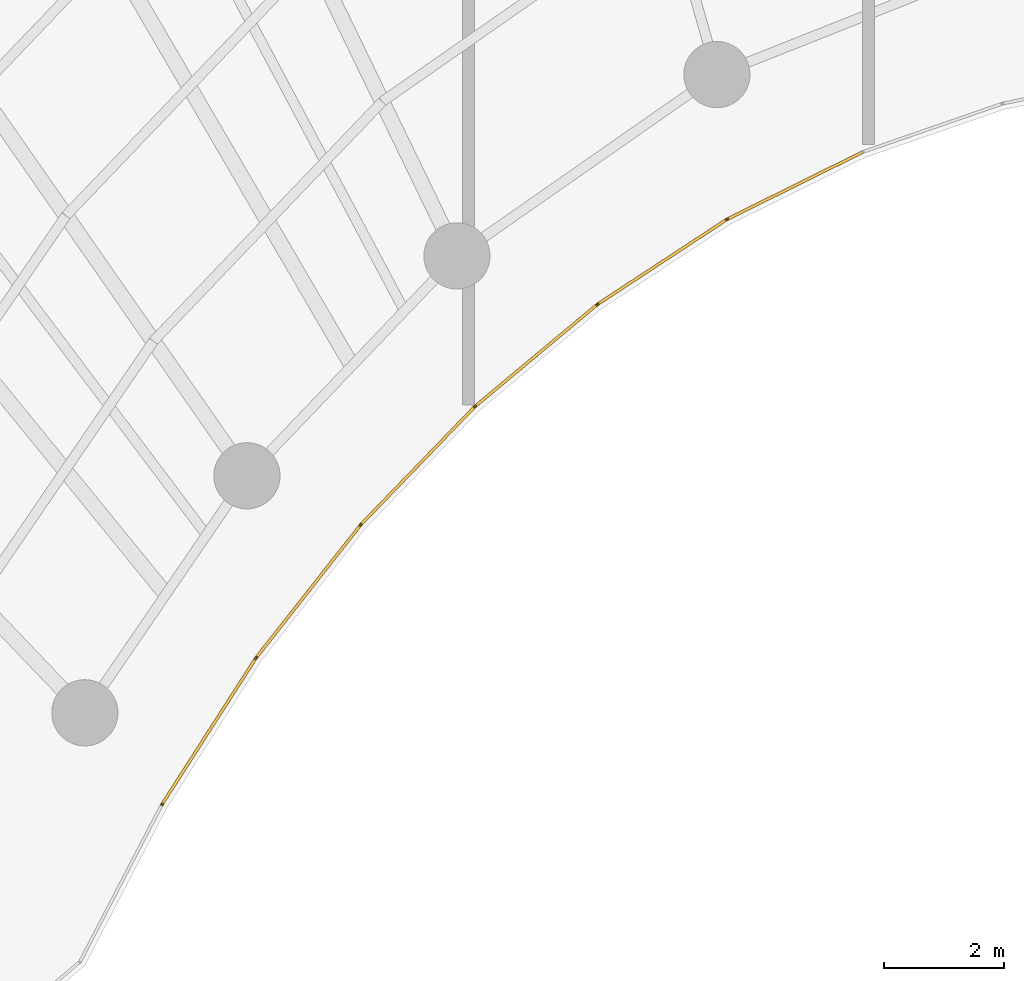
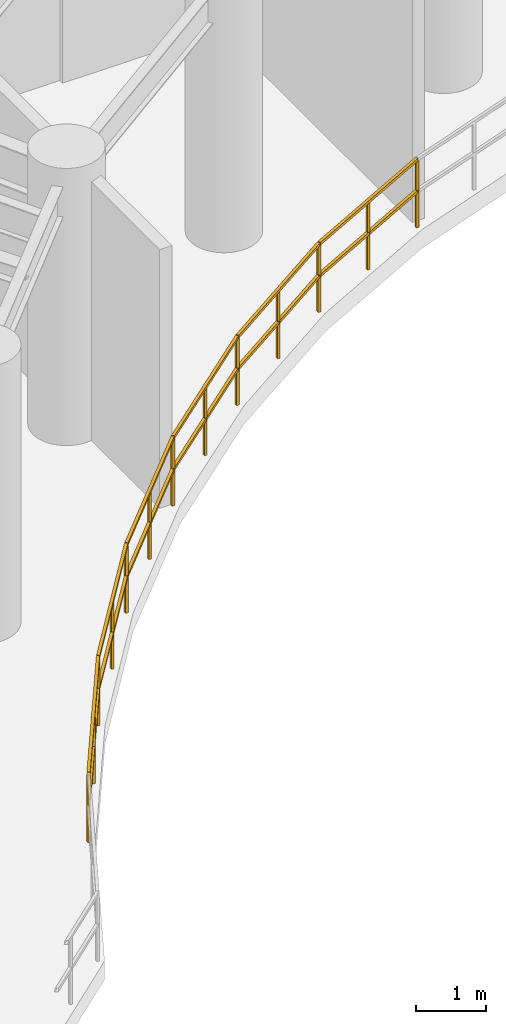
# One storey, part 15 of 24: 12 railings.
"""IFC4 building model written with IfcOpenShell, lengths in metres."""

from ifc_helpers import new_model, si_unit, direction, frame, origin, origin_2d, place, context, subcontext, project, spatial, rectangle, extrude, material, type_object, element, save


model = new_model("IFC4")

# Units and contexts
model_context = context("Model", 3, precision=1e-05, world=origin(), true_north=direction((0.0, 1.0)))
body_context = subcontext(model_context, "Body", "Model", "MODEL_VIEW")
ifc_project = project(units=[si_unit("LENGTHUNIT", "METRE"), si_unit("AREAUNIT", "SQUARE_METRE"), si_unit("VOLUMEUNIT", "CUBIC_METRE"), si_unit("PLANEANGLEUNIT", "RADIAN"), si_unit("MASSUNIT", "GRAM", prefix="KILO")], contexts=[model_context])

# Site, building, storey
site_placement = place(None, origin())
site = spatial("IfcSite", under=ifc_project, at=site_placement, CompositionType="ELEMENT")
building_placement = place(site_placement, origin())
building = spatial("IfcBuilding", under=site, at=building_placement, Name="Breltana Convention Tower", CompositionType="ELEMENT")
storey_placement = place(building_placement, frame((0.0, 0.0, 189.60009765625)))
storey = spatial("IfcBuildingStorey", under=building, at=storey_placement, Name="L46", CompositionType="ELEMENT", Elevation=189.60009765625)

# Railings
ifc_material = material(Name="Stainless Steel 316L", Category="steel")
railing_type = type_object("IfcRailingType", Name="RL-WIND-GUARD-1200", PredefinedType="BALUSTRADE", material=ifc_material)
railing_1_placement = place(storey_placement, frame((40.898193359375, 52.2666015625, 0.0)))
element("IfcRailing", 1, at=railing_1_placement, inside=storey, type_object=railing_type, Name="L46 perimeter balustrade 32", PredefinedType="BALUSTRADE", context=body_context, shape_type="SweptSolid", body=[
    extrude(rectangle(XDim=0.048095703125, YDim=0.048095703125, at=origin_2d()), frame((0.0, 0.0, 1.17578125), z_axis=(-0.895926249068, -0.444202832308, 0.0), x_axis=(0.444202832308, -0.895926249068, 0.0)), (0.0, 0.0, 1.0), 2.499755859375),
    extrude(rectangle(XDim=0.048095703125, YDim=0.048095703125, at=origin_2d()), frame((0.0, 0.0, 0.6240234375), z_axis=(-0.895926249068, -0.444202832308, 0.0), x_axis=(0.444202832308, -0.895926249068, 0.0)), (0.0, 0.0, 1.0), 2.499755859375),
    extrude(rectangle(XDim=0.0419921875, YDim=0.0419921875, at=origin_2d()), origin(), (0.0, 0.0, 1.0), 1.15185546875),
    extrude(rectangle(XDim=0.0419921875, YDim=0.0419921875, at=origin_2d()), frame((-1.11962890625, -0.55517578125, 0.0)), (0.0, 0.0, 1.0), 1.15185546875),
    extrude(rectangle(XDim=0.0419921875, YDim=0.0419921875, at=origin_2d()), frame((-2.239501953125, -1.1103515625, 0.0)), (0.0, 0.0, 1.0), 1.15185546875),
])
railing_2_placement = place(storey_placement, frame((38.65869140625, 51.15625, 0.0)))
element("IfcRailing", 2, at=railing_2_placement, inside=storey, type_object=railing_type, Name="L46 perimeter balustrade 33", PredefinedType="BALUSTRADE", context=body_context, shape_type="SweptSolid", body=[
    extrude(rectangle(XDim=0.048095703125, YDim=0.048095703125, at=origin_2d()), frame((0.0, 0.0, 1.17578125), z_axis=(-0.873197702015, -0.487366159264, 0.0), x_axis=(0.487366159264, -0.873197702015, 0.0)), (0.0, 0.0, 1.0), 0.011962890625),
    extrude(rectangle(XDim=0.048095703125, YDim=0.048095703125, at=origin_2d()), frame((0.0, 0.0, 0.6240234375), z_axis=(-0.873197702015, -0.487366159264, 0.0), x_axis=(0.487366159264, -0.873197702015, 0.0)), (0.0, 0.0, 1.0), 0.011962890625),
    extrude(rectangle(XDim=0.0419921875, YDim=0.0419921875, at=origin_2d()), origin(), (0.0, 0.0, 1.0), 1.15185546875),
    extrude(rectangle(XDim=0.0419921875, YDim=0.0419921875, at=origin_2d()), frame((-0.010498046875, -0.005859375, 0.0)), (0.0, 0.0, 1.0), 1.15185546875),
])
railing_3_placement = place(storey_placement, frame((38.648193359375, 51.150390625, 0.0)))
element("IfcRailing", 3, at=railing_3_placement, inside=storey, type_object=railing_type, Name="L46 perimeter balustrade 34", PredefinedType="BALUSTRADE", context=body_context, shape_type="SweptSolid", body=[
    extrude(rectangle(XDim=0.048095703125, YDim=0.048095703125, at=origin_2d()), frame((0.0, 0.0, 1.17578125), z_axis=(-0.835982422009, -0.548756221005, 0.0), x_axis=(0.548756221005, -0.835982422009, 0.0)), (0.0, 0.0, 1.0), 2.565185546875),
    extrude(rectangle(XDim=0.048095703125, YDim=0.048095703125, at=origin_2d()), frame((0.0, 0.0, 0.6240234375), z_axis=(-0.835982422009, -0.548756221005, 0.0), x_axis=(0.548756221005, -0.835982422009, 0.0)), (0.0, 0.0, 1.0), 2.565185546875),
    extrude(rectangle(XDim=0.0419921875, YDim=0.0419921875, at=origin_2d()), origin(), (0.0, 0.0, 1.0), 1.15185546875),
    extrude(rectangle(XDim=0.0419921875, YDim=0.0419921875, at=origin_2d()), frame((-1.072265625, -0.703857421875, 0.0)), (0.0, 0.0, 1.0), 1.15185546875),
    extrude(rectangle(XDim=0.0419921875, YDim=0.0419921875, at=origin_2d()), frame((-2.14453125, -1.40771484375, 0.0)), (0.0, 0.0, 1.0), 1.15185546875),
])
railing_4_placement = place(storey_placement, frame((36.503662109375, 49.74267578125, 0.0)))
element("IfcRailing", 4, at=railing_4_placement, inside=storey, type_object=railing_type, Name="L46 perimeter balustrade 35", PredefinedType="BALUSTRADE", context=body_context, shape_type="SweptSolid", body=[
    extrude(rectangle(XDim=0.048095703125, YDim=0.048095703125, at=origin_2d()), frame((0.0, 0.0, 1.17578125), z_axis=(-0.805055837353, -0.59319903805, 0.0), x_axis=(0.59319903805, -0.805055837353, 0.0)), (0.0, 0.0, 1.0), 0.011474609375),
    extrude(rectangle(XDim=0.048095703125, YDim=0.048095703125, at=origin_2d()), frame((0.0, 0.0, 0.6240234375), z_axis=(-0.805055837353, -0.59319903805, 0.0), x_axis=(0.59319903805, -0.805055837353, 0.0)), (0.0, 0.0, 1.0), 0.011474609375),
    extrude(rectangle(XDim=0.0419921875, YDim=0.0419921875, at=origin_2d()), origin(), (0.0, 0.0, 1.0), 1.15185546875),
    extrude(rectangle(XDim=0.0419921875, YDim=0.0419921875, at=origin_2d()), frame((-0.00927734375, -0.0068359375, 0.0)), (0.0, 0.0, 1.0), 1.15185546875),
])
railing_5_placement = place(storey_placement, frame((36.494384765625, 49.73583984375, 0.0)))
element("IfcRailing", 5, at=railing_5_placement, inside=storey, type_object=railing_type, Name="L46 perimeter balustrade 36", PredefinedType="BALUSTRADE", context=body_context, shape_type="SweptSolid", body=[
    extrude(rectangle(XDim=0.048095703125, YDim=0.048095703125, at=origin_2d()), frame((0.0, 0.0, 1.17578125), z_axis=(-0.76794831999, -0.640511809278, 0.0), x_axis=(0.640511809278, -0.76794831999, 0.0)), (0.0, 0.0, 1.0), 2.639892578125),
    extrude(rectangle(XDim=0.048095703125, YDim=0.048095703125, at=origin_2d()), frame((0.0, 0.0, 0.6240234375), z_axis=(-0.76794831999, -0.640511809278, 0.0), x_axis=(0.640511809278, -0.76794831999, 0.0)), (0.0, 0.0, 1.0), 2.639892578125),
    extrude(rectangle(XDim=0.0419921875, YDim=0.0419921875, at=origin_2d()), origin(), (0.0, 0.0, 1.0), 1.15185546875),
    extrude(rectangle(XDim=0.0419921875, YDim=0.0419921875, at=origin_2d()), frame((-1.013671875, -0.845458984375, 0.0)), (0.0, 0.0, 1.0), 1.15185546875),
    extrude(rectangle(XDim=0.0419921875, YDim=0.0419921875, at=origin_2d()), frame((-2.02734375, -1.69091796875, 0.0)), (0.0, 0.0, 1.0), 1.15185546875),
])
railing_6_placement = place(storey_placement, frame((34.467041015625, 48.044921875, 0.0)))
element("IfcRailing", 6, at=railing_6_placement, inside=storey, type_object=railing_type, Name="L46 perimeter balustrade 37", PredefinedType="BALUSTRADE", context=body_context, shape_type="SweptSolid", body=[
    extrude(rectangle(XDim=0.048095703125, YDim=0.048095703125, at=origin_2d()), frame((0.0, 0.0, 1.17578125), z_axis=(-0.72953720414, -0.683941128881, 0.0), x_axis=(0.683941128881, -0.72953720414, 0.0)), (0.0, 0.0, 1.0), 0.0107421875),
    extrude(rectangle(XDim=0.048095703125, YDim=0.048095703125, at=origin_2d()), frame((0.0, 0.0, 0.6240234375), z_axis=(-0.72953720414, -0.683941128881, 0.0), x_axis=(0.683941128881, -0.72953720414, 0.0)), (0.0, 0.0, 1.0), 0.0107421875),
    extrude(rectangle(XDim=0.0419921875, YDim=0.0419921875, at=origin_2d()), origin(), (0.0, 0.0, 1.0), 1.15185546875),
    extrude(rectangle(XDim=0.0419921875, YDim=0.0419921875, at=origin_2d()), frame((-0.0078125, -0.00732421875, 0.0)), (0.0, 0.0, 1.0), 1.15185546875),
])
railing_7_placement = place(storey_placement, frame((34.459228515625, 48.03759765625, 0.0)))
element("IfcRailing", 7, at=railing_7_placement, inside=storey, type_object=railing_type, Name="L46 perimeter balustrade 38", PredefinedType="BALUSTRADE", context=body_context, shape_type="SweptSolid", body=[
    extrude(rectangle(XDim=0.048095703125, YDim=0.048095703125, at=origin_2d()), frame((0.0, 0.0, 1.17578125), z_axis=(-0.694612133042, -0.719384448421, 0.0), x_axis=(0.719384448421, -0.694612133042, 0.0)), (0.0, 0.0, 1.0), 2.719970703125),
    extrude(rectangle(XDim=0.048095703125, YDim=0.048095703125, at=origin_2d()), frame((0.0, 0.0, 0.6240234375), z_axis=(-0.694612133042, -0.719384448421, 0.0), x_axis=(0.719384448421, -0.694612133042, 0.0)), (0.0, 0.0, 1.0), 2.719970703125),
    extrude(rectangle(XDim=0.0419921875, YDim=0.0419921875, at=origin_2d()), origin(), (0.0, 0.0, 1.0), 1.15185546875),
    extrude(rectangle(XDim=0.0419921875, YDim=0.0419921875, at=origin_2d()), frame((-0.94482421875, -0.978515625, 0.0)), (0.0, 0.0, 1.0), 1.15185546875),
    extrude(rectangle(XDim=0.0419921875, YDim=0.0419921875, at=origin_2d()), frame((-1.889404296875, -1.956787109375, 0.0)), (0.0, 0.0, 1.0), 1.15185546875),
])
railing_8_placement = place(storey_placement, frame((32.56982421875, 46.080810546875, 0.0)))
element("IfcRailing", 8, at=railing_8_placement, inside=storey, type_object=railing_type, Name="L46 perimeter balustrade 39", PredefinedType="BALUSTRADE", context=body_context, shape_type="SweptSolid", body=[
    extrude(rectangle(XDim=0.048095703125, YDim=0.048095703125, at=origin_2d()), frame((0.0, 0.0, 1.17578125), z_axis=(-0.658504607869, -0.752576694707, 0.0), x_axis=(0.752576694707, -0.658504607869, 0.0)), (0.0, 0.0, 1.0), 0.010498046875),
    extrude(rectangle(XDim=0.048095703125, YDim=0.048095703125, at=origin_2d()), frame((0.0, 0.0, 0.6240234375), z_axis=(-0.658504607869, -0.752576694707, 0.0), x_axis=(0.752576694707, -0.658504607869, 0.0)), (0.0, 0.0, 1.0), 0.010498046875),
    extrude(rectangle(XDim=0.0419921875, YDim=0.0419921875, at=origin_2d()), origin(), (0.0, 0.0, 1.0), 1.15185546875),
    extrude(rectangle(XDim=0.0419921875, YDim=0.0419921875, at=origin_2d()), frame((-0.0068359375, -0.0078125, 0.0)), (0.0, 0.0, 1.0), 1.15185546875),
])
railing_9_placement = place(storey_placement, frame((32.56298828125, 46.072998046875, 0.0)))
element("IfcRailing", 9, at=railing_9_placement, inside=storey, type_object=railing_type, Name="L46 perimeter balustrade 40", PredefinedType="BALUSTRADE", context=body_context, shape_type="SweptSolid", body=[
    extrude(rectangle(XDim=0.048095703125, YDim=0.048095703125, at=origin_2d()), frame((0.0, 0.0, 1.17578125), z_axis=(-0.618160104834, -0.786052215054, 0.0), x_axis=(0.786052215054, -0.618160104834, 0.0)), (0.0, 0.0, 1.0), 2.80224609375),
    extrude(rectangle(XDim=0.048095703125, YDim=0.048095703125, at=origin_2d()), frame((0.0, 0.0, 0.6240234375), z_axis=(-0.618160104834, -0.786052215054, 0.0), x_axis=(0.786052215054, -0.618160104834, 0.0)), (0.0, 0.0, 1.0), 2.80224609375),
    extrude(rectangle(XDim=0.0419921875, YDim=0.0419921875, at=origin_2d()), origin(), (0.0, 0.0, 1.0), 1.15185546875),
    extrude(rectangle(XDim=0.0419921875, YDim=0.0419921875, at=origin_2d()), frame((-0.8662109375, -1.101318359375, 0.0)), (0.0, 0.0, 1.0), 1.15185546875),
    extrude(rectangle(XDim=0.0419921875, YDim=0.0419921875, at=origin_2d()), frame((-1.732177734375, -2.20263671875, 0.0)), (0.0, 0.0, 1.0), 1.15185546875),
])
railing_10_placement = place(storey_placement, frame((30.830810546875, 43.870361328125, 0.0)))
element("IfcRailing", 10, at=railing_10_placement, inside=storey, type_object=railing_type, Name="L46 perimeter balustrade 41", PredefinedType="BALUSTRADE", context=body_context, shape_type="SweptSolid", body=[
    extrude(rectangle(XDim=0.048095703125, YDim=0.048095703125, at=origin_2d()), frame((0.0, 0.0, 1.17578125), z_axis=(-0.583636048153, -0.812015371343, 0.0), x_axis=(0.812015371343, -0.583636048153, 0.0)), (0.0, 0.0, 1.0), 0.009521484375),
    extrude(rectangle(XDim=0.048095703125, YDim=0.048095703125, at=origin_2d()), frame((0.0, 0.0, 0.6240234375), z_axis=(-0.583636048153, -0.812015371343, 0.0), x_axis=(0.812015371343, -0.583636048153, 0.0)), (0.0, 0.0, 1.0), 0.009521484375),
    extrude(rectangle(XDim=0.0419921875, YDim=0.0419921875, at=origin_2d()), origin(), (0.0, 0.0, 1.0), 1.15185546875),
    extrude(rectangle(XDim=0.0419921875, YDim=0.0419921875, at=origin_2d()), frame((-0.005615234375, -0.0078125, 0.0)), (0.0, 0.0, 1.0), 1.15185546875),
])
railing_11_placement = place(storey_placement, frame((30.8251953125, 43.862548828125, 0.0)))
element("IfcRailing", 11, at=railing_11_placement, inside=storey, type_object=railing_type, Name="L46 perimeter balustrade 42", PredefinedType="BALUSTRADE", context=body_context, shape_type="SweptSolid", body=[
    extrude(rectangle(XDim=0.048095703125, YDim=0.048095703125, at=origin_2d()), frame((0.0, 0.0, 1.17578125), z_axis=(-0.540153919995, -0.841566243806, 0.0), x_axis=(0.841566243806, -0.540153919995, 0.0)), (0.0, 0.0, 1.0), 2.8828125),
    extrude(rectangle(XDim=0.048095703125, YDim=0.048095703125, at=origin_2d()), frame((0.0, 0.0, 0.6240234375), z_axis=(-0.540153919995, -0.841566243806, 0.0), x_axis=(0.841566243806, -0.540153919995, 0.0)), (0.0, 0.0, 1.0), 2.8828125),
    extrude(rectangle(XDim=0.0419921875, YDim=0.0419921875, at=origin_2d()), origin(), (0.0, 0.0, 1.0), 1.15185546875),
    extrude(rectangle(XDim=0.0419921875, YDim=0.0419921875, at=origin_2d()), frame((-0.778564453125, -1.212890625, 0.0)), (0.0, 0.0, 1.0), 1.15185546875),
    extrude(rectangle(XDim=0.0419921875, YDim=0.0419921875, at=origin_2d()), frame((-1.55712890625, -2.426025390625, 0.0)), (0.0, 0.0, 1.0), 1.15185546875),
])
railing_12_placement = place(storey_placement, frame((29.26806640625, 41.4365234375, 0.0)))
element("IfcRailing", 12, at=railing_12_placement, inside=storey, type_object=railing_type, Name="L46 perimeter balustrade 43", PredefinedType="BALUSTRADE", context=body_context, shape_type="SweptSolid", body=[
    extrude(rectangle(XDim=0.048095703125, YDim=0.048095703125, at=origin_2d()), frame((0.0, 0.0, 1.17578125), z_axis=(-0.490261239633, -0.871575537125, 0.0), x_axis=(0.871575537125, -0.490261239633, 0.0)), (0.0, 0.0, 1.0), 0.009033203125),
    extrude(rectangle(XDim=0.048095703125, YDim=0.048095703125, at=origin_2d()), frame((0.0, 0.0, 0.6240234375), z_axis=(-0.490261239633, -0.871575537125, 0.0), x_axis=(0.871575537125, -0.490261239633, 0.0)), (0.0, 0.0, 1.0), 0.009033203125),
    extrude(rectangle(XDim=0.0419921875, YDim=0.0419921875, at=origin_2d()), origin(), (0.0, 0.0, 1.0), 1.15185546875),
    extrude(rectangle(XDim=0.0419921875, YDim=0.0419921875, at=origin_2d()), frame((-0.00439453125, -0.0078125, 0.0)), (0.0, 0.0, 1.0), 1.15185546875),
])

save(model, "model.ifc")
